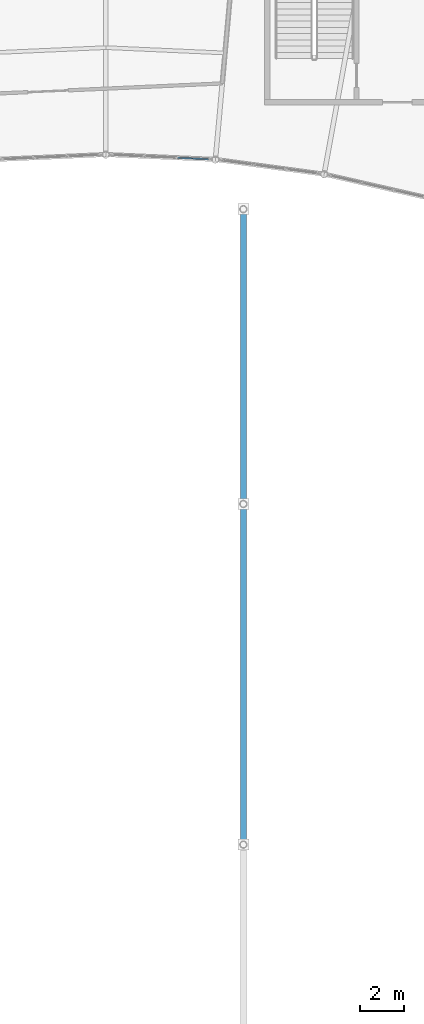
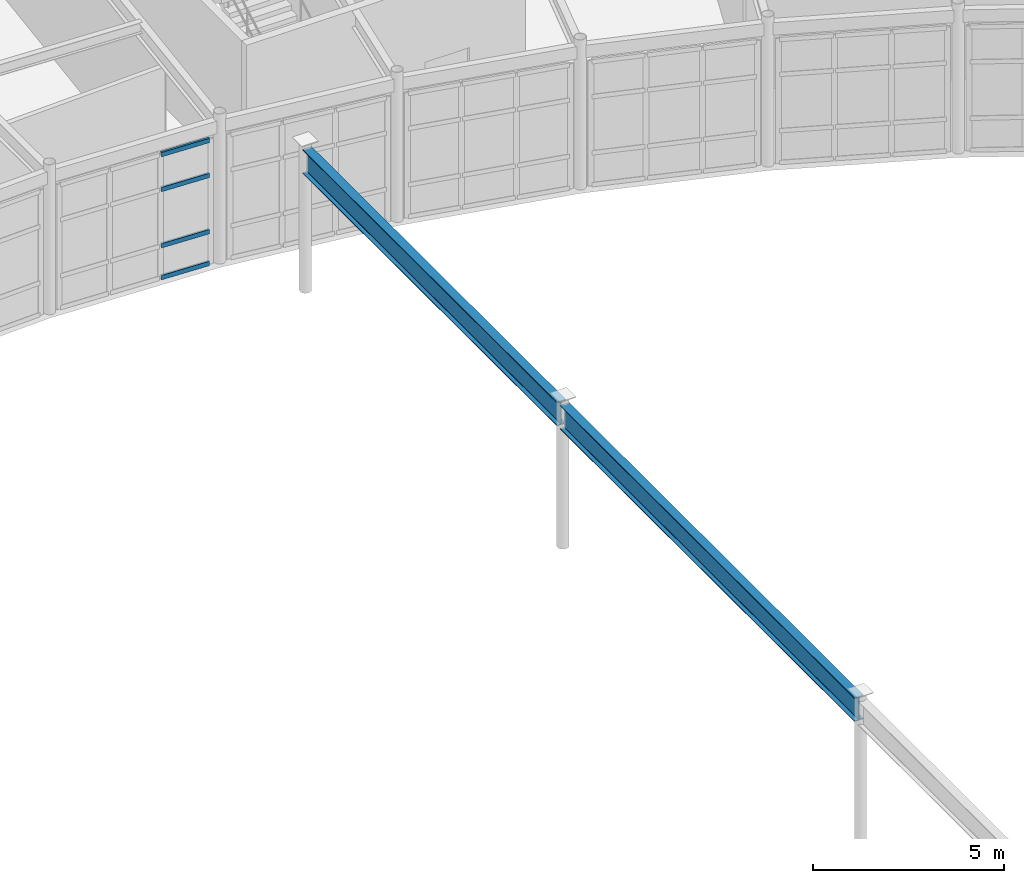
# One storey, part 73 of 116: 4 members, 2 beams, 1 element without a shape of its own.
"""IFC4 building model written with IfcOpenShell, lengths in metres."""

from ifc_helpers import new_model, si_unit, direction, frame, origin, origin_2d, place, context, subcontext, project, spatial, hollow_rectangle, i_section, extrude, material, layer, layer_set, material_profile, profile_set, type_object, element, aggregate, save


model = new_model("IFC4")

# Units and contexts
model_context = context("Model", 3, precision=1e-05, world=origin(), true_north=direction((0.0, 1.0)))
body_context = subcontext(model_context, "Body", "Model", "MODEL_VIEW")
ifc_project = project(units=[si_unit("LENGTHUNIT", "METRE"), si_unit("AREAUNIT", "SQUARE_METRE"), si_unit("VOLUMEUNIT", "CUBIC_METRE"), si_unit("PLANEANGLEUNIT", "RADIAN"), si_unit("MASSUNIT", "GRAM", prefix="KILO")], contexts=[model_context])

# Site, building, storey
site_placement = place(None, origin())
site = spatial("IfcSite", under=ifc_project, at=site_placement, CompositionType="ELEMENT")
building_placement = place(site_placement, origin())
building = spatial("IfcBuilding", under=site, at=building_placement, Name="Selat Folded Stagehouse", CompositionType="ELEMENT")
storey_placement = place(building_placement, frame((0.0, 0.0, 5.39990234375)))
storey = spatial("IfcBuildingStorey", under=building, at=storey_placement, Name="L01", CompositionType="ELEMENT", Elevation=5.39990234375)

# Beams
ifc_material_1 = material(Name="Steel S355", Category="steel")
ifc_material_profile_1 = material_profile(ifc_material_1, i_section(OverallWidth=0.26806640625, OverallDepth=0.769775390625, WebThickness=0.015625, FlangeThickness=0.025390625, FilletRadius=0.0166015625, at=origin_2d()), Name="UKB 762x267x197")
ifc_profile_set_1 = profile_set([ifc_material_profile_1], Name="Steel S355")
beam_type = type_object("IfcBeamType", Name="BM-GIRD-762x267x197", PredefinedType="BEAM", material=ifc_profile_set_1)
beam_1_placement = place(storey_placement, frame((98.699951171875, 62.47998046875, 4.205078125), z_axis=(0.0, 1.0, 0.0), x_axis=(-1.0, 0.0, 0.0)))
element("IfcBeam", 1, at=beam_1_placement, inside=storey, type_object=beam_type, Name="L01 primary y-girder 0834", PredefinedType="BEAM", context=body_context, shape_type="SweptSolid", body=[
    extrude(i_section(OverallWidth=0.26806640625, OverallDepth=0.769775390625, WebThickness=0.015625, FlangeThickness=0.025390625, FilletRadius=0.0166015625, at=origin_2d()), origin(), (0.0, 0.0, 1.0), 15.43994140625),
])
beam_2_placement = place(storey_placement, frame((98.699951171875, 78.080078125, 4.205078125), z_axis=(0.0, 1.0, 0.0), x_axis=(-1.0, 0.0, 0.0)))
element("IfcBeam", 2, at=beam_2_placement, inside=storey, type_object=beam_type, Name="L01 primary y-girder 0835", PredefinedType="BEAM", context=body_context, shape_type="SweptSolid", body=[
    extrude(i_section(OverallWidth=0.26806640625, OverallDepth=0.769775390625, WebThickness=0.015625, FlangeThickness=0.025390625, FilletRadius=0.0166015625, at=origin_2d()), origin(), (0.0, 0.0, 1.0), 13.33984375),
])

# Curtain wall, members
ifc_material_2 = material(Name="Aluminium 6063-T6", Category="aluminium")
ifc_layer = layer(ifc_material_2, 0.18994140625)
ifc_layer_set = layer_set([ifc_layer], Name="Aluminium 6063-T6")
curtain_wall_type = type_object("IfcCurtainWallType", Name="CW-REH-ARC", PredefinedType="NOTDEFINED", material=ifc_layer_set)
curtain_wall_placement = place(storey_placement, origin())
curtain_wall = element("IfcCurtainWall", 3, at=curtain_wall_placement, inside=storey, type_object=curtain_wall_type, Name="L01 curtain wall CW-REH-L01-07", PredefinedType="NOTDEFINED")
ifc_material_profile_2 = material_profile(ifc_material_2, hollow_rectangle(XDim=0.06494140625, YDim=0.139892578125, WallThickness=0.00390625, at=origin_2d()), Name="ALU 140x65x4.0")
ifc_profile_set_2 = profile_set([ifc_material_profile_2], Name="Aluminium 6063-T6")
member_type = type_object("IfcMemberType", Name="CWM-TRN-140x65", PredefinedType="USERDEFINED", material=ifc_profile_set_2)
member_1_placement = place(storey_placement, frame((97.110107421875, 93.78857421875, 0.03271484375), z_axis=(-0.998997791005, 0.044759508127, 0.0), x_axis=(-0.044759508127, -0.998997791005, 0.0)))
member_1 = element("IfcMember", 4, at=member_1_placement, type_object=member_type, Name="CW-06 transom 1.1", ObjectType="TRANSOM", PredefinedType="USERDEFINED", context=body_context, shape_type="SweptSolid", body=[
    extrude(hollow_rectangle(XDim=0.06494140625, YDim=0.139892578125, WallThickness=0.00390625, at=origin_2d()), origin(), (0.0, 0.0, 1.0), 1.418212890625),
])
member_2_placement = place(storey_placement, frame((97.110107421875, 93.78857421875, 1.050048828125), z_axis=(-0.998997791005, 0.044759508127, 0.0), x_axis=(-0.044759508127, -0.998997791005, 0.0)))
member_2 = element("IfcMember", 5, at=member_2_placement, type_object=member_type, Name="CW-06 transom 1.2", ObjectType="TRANSOM", PredefinedType="USERDEFINED", context=body_context, shape_type="SweptSolid", body=[
    extrude(hollow_rectangle(XDim=0.06494140625, YDim=0.139892578125, WallThickness=0.00390625, at=origin_2d()), origin(), (0.0, 0.0, 1.0), 1.418212890625),
])
member_3_placement = place(storey_placement, frame((97.110107421875, 93.78857421875, 2.85009765625), z_axis=(-0.998997791005, 0.044759508127, 0.0), x_axis=(-0.044759508127, -0.998997791005, 0.0)))
member_3 = element("IfcMember", 6, at=member_3_placement, type_object=member_type, Name="CW-06 transom 1.3", ObjectType="TRANSOM", PredefinedType="USERDEFINED", context=body_context, shape_type="SweptSolid", body=[
    extrude(hollow_rectangle(XDim=0.06494140625, YDim=0.139892578125, WallThickness=0.00390625, at=origin_2d()), origin(), (0.0, 0.0, 1.0), 1.418212890625),
])
member_4_placement = place(storey_placement, frame((97.110107421875, 93.78857421875, 3.967529296875), z_axis=(-0.998997791005, 0.044759508127, 0.0), x_axis=(-0.044759508127, -0.998997791005, 0.0)))
member_4 = element("IfcMember", 7, at=member_4_placement, type_object=member_type, Name="CW-06 transom 1.4", ObjectType="TRANSOM", PredefinedType="USERDEFINED", context=body_context, shape_type="SweptSolid", body=[
    extrude(hollow_rectangle(XDim=0.06494140625, YDim=0.139892578125, WallThickness=0.00390625, at=origin_2d()), origin(), (0.0, 0.0, 1.0), 1.418212890625),
])
aggregate(curtain_wall, [member_1, member_2, member_3, member_4])

save(model, "model.ifc")
